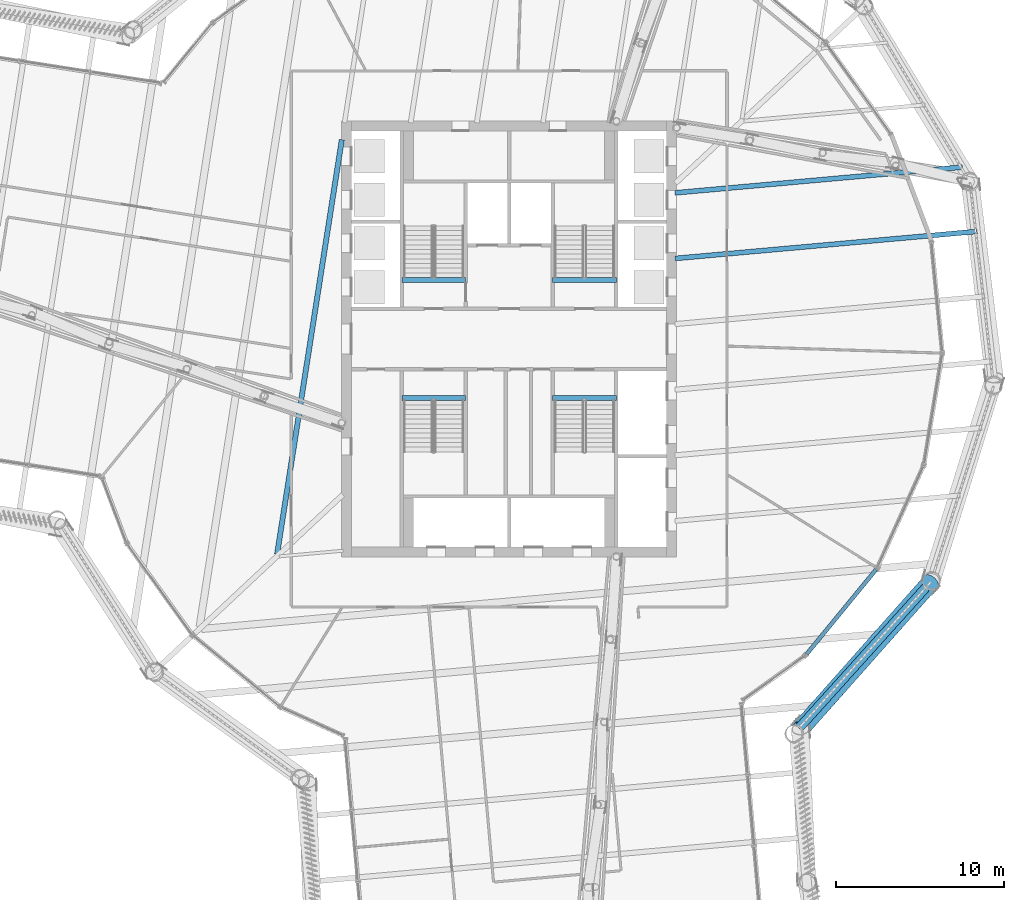
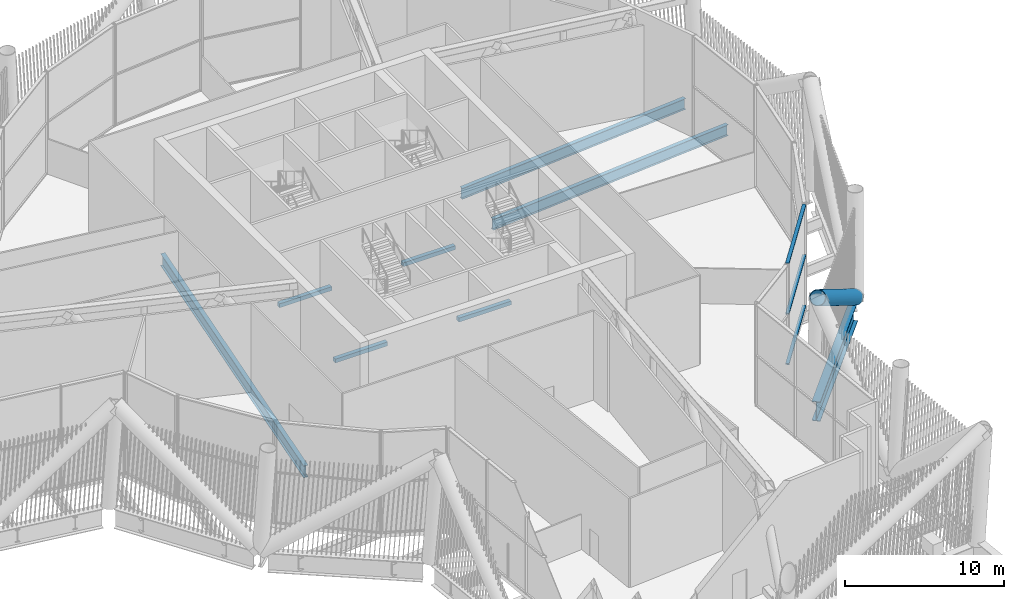
# One storey, part 18 of 55: 8 beams, 4 members, 1 element without a shape of its own.
"""IFC4 building model written with IfcOpenShell, lengths in metres."""

import ifcopenshell
import ifcopenshell.guid

model = None  # the IFC model being written
_history = None  # IfcOwnerHistory: only IFC2X3 demands one
_inside = {}  # id of a spatial element -> (the spatial element, [elements in it])
_under = {}  # id of a project, library or spatial element -> (it, [spatial elements below it])
_declared = {}  # id of a project -> (the project, [libraries it declares])
_typed = {}  # id of a type object -> (the type object, [elements of that type])
_made_of = {}  # id of a material, layer set ... -> (it, [elements and type objects made of it])


def new_model(schema):
    """Start an empty IFC model of exactly this schema.

    Asked for "IFC4X3", IfcOpenShell would pick the latest addendum, in which some entities
    have other attributes; the version numbers below select the first issue.
    IFC2X3 requires an IfcOwnerHistory on every rooted entity: one is made here for all.
    """
    global model, _history
    if schema == "IFC4X3":
        model = ifcopenshell.file(schema_version=(4, 3, 0, 0))
    else:
        model = ifcopenshell.file(schema=schema)
    _inside.clear()
    _under.clear()
    _declared.clear()
    _typed.clear()
    _made_of.clear()
    _history = None
    if model.schema == "IFC2X3":
        org = make("IfcOrganization", Name="unknown")
        user = make(
            "IfcPersonAndOrganization",
            ThePerson=make("IfcPerson", FamilyName="unknown"),
            TheOrganization=org,
        )
        app = make(
            "IfcApplication",
            ApplicationDeveloper=org,
            Version="unknown",
            ApplicationFullName="unknown",
            ApplicationIdentifier="unknown",
        )
        _history = make(
            "IfcOwnerHistory",
            OwningUser=user,
            OwningApplication=app,
            ChangeAction="ADDED",
            CreationDate=0,
        )
    return model


def make(cls, **values):
    """One entity of the class cls with the attributes given. An attribute that is None is left unset."""
    return model.create_entity(
        cls, **{name: value for name, value in values.items() if value is not None}
    )


def rooted(cls, **values):
    """An entity with a GlobalId (a new one), such as an element, a storey or a relation."""
    return make(cls, GlobalId=ifcopenshell.guid.new(), OwnerHistory=_history, **values)


def si_unit(unit_type, name, prefix=None):
    """IfcSIUnit, for example si_unit("LENGTHUNIT", "METRE", prefix="MILLI")."""
    return make("IfcSIUnit", UnitType=unit_type, Prefix=prefix, Name=name)


def assignment(units):
    """IfcUnitAssignment: the units of a project."""
    return None if units is None else make("IfcUnitAssignment", Units=units)


def point(xyz):
    """IfcCartesianPoint."""
    return None if xyz is None else make("IfcCartesianPoint", Coordinates=xyz)


def direction(xyz):
    """IfcDirection."""
    return None if xyz is None else make("IfcDirection", DirectionRatios=xyz)


def frame(location, z_axis=None, x_axis=None):
    """IfcAxis2Placement3D, a coordinate frame: its origin and axes. An axis left out is left unset."""
    return make(
        "IfcAxis2Placement3D",
        Location=point(location),
        Axis=direction(z_axis),
        RefDirection=direction(x_axis),
    )


def frame_2d(location, x_axis=None):
    """IfcAxis2Placement2D, a coordinate frame in the plane: its origin and x axis."""
    return make(
        "IfcAxis2Placement2D", Location=point(location), RefDirection=direction(x_axis)
    )


def origin():
    """The frame at (0, 0, 0) with its axes left unset."""
    return frame((0.0, 0.0, 0.0))


def origin_2d():
    """The frame at (0, 0) in the plane with its x axis left unset."""
    return frame_2d((0.0, 0.0))


def place(relative_to, where):
    """IfcLocalPlacement: puts the frame where relative to a parent placement (None: the world)."""
    return make(
        "IfcLocalPlacement", PlacementRelTo=relative_to, RelativePlacement=where
    )


def context(
    kind, dimensions, precision=None, world=None, true_north=None, identifier=None
):
    """IfcGeometricRepresentationContext, for example the 3D "Model" context."""
    return make(
        "IfcGeometricRepresentationContext",
        ContextIdentifier=identifier,
        ContextType=kind,
        CoordinateSpaceDimension=dimensions,
        Precision=precision,
        WorldCoordinateSystem=world,
        TrueNorth=true_north,
    )


def subcontext(parent, identifier, kind, view, scale=None):
    """IfcGeometricRepresentationSubContext, for example "Body" below "Model"."""
    return make(
        "IfcGeometricRepresentationSubContext",
        ContextIdentifier=identifier,
        ContextType=kind,
        ParentContext=parent,
        TargetScale=scale,
        TargetView=view,
    )


def project(units=None, contexts=None):
    """IfcProject with its units and contexts."""
    return rooted(
        "IfcProject",
        Name="project",
        RepresentationContexts=contexts,
        UnitsInContext=assignment(units),
    )


def spatial(cls, under=None, at=None, **own):
    """A site, building, storey or space (cls), placed at a placement, below another one or the project."""
    s = rooted(cls, ObjectPlacement=at, **own)
    if under is not None:
        _under.setdefault(under.id(), (under, []))[1].append(s)
    return s


def profile(cls, at=None, kind="AREA", **sizes):
    """A parametric profile (cls). Its sizes go by their IFC names, for example OverallWidth=200.0."""
    return make(cls, ProfileType=kind, Position=at, **sizes)


def rectangle(**sizes):
    """IfcRectangleProfileDef."""
    return profile("IfcRectangleProfileDef", **sizes)


def hollow_rectangle(**sizes):
    """IfcRectangleHollowProfileDef."""
    return profile("IfcRectangleHollowProfileDef", **sizes)


def hollow_circle(**sizes):
    """IfcCircleHollowProfileDef."""
    return profile("IfcCircleHollowProfileDef", **sizes)


def i_section(**sizes):
    """IfcIShapeProfileDef."""
    return profile("IfcIShapeProfileDef", **sizes)


def extrude(swept, where, along, depth):
    """IfcExtrudedAreaSolid: the profile swept, set in the frame where, extruded along a direction by depth."""
    return make(
        "IfcExtrudedAreaSolid",
        SweptArea=swept,
        Position=where,
        ExtrudedDirection=direction(along),
        Depth=depth,
    )


def shape(context_of_items, identifier, shape_type, items):
    """IfcShapeRepresentation: the items that make up one representation, for example the "Body"."""
    return make(
        "IfcShapeRepresentation",
        ContextOfItems=context_of_items,
        RepresentationIdentifier=identifier,
        RepresentationType=shape_type,
        Items=items,
    )


def material(Name=None, Category=None):
    """IfcMaterial."""
    return make("IfcMaterial", Name=Name, Category=Category)


def layer(
    of_material, thickness, ventilated=None, Name=None, Category=None, Priority=None
):
    """IfcMaterialLayer: one layer of a wall or slab, of a material (None: an air gap)."""
    return make(
        "IfcMaterialLayer",
        Material=of_material,
        LayerThickness=thickness,
        IsVentilated=ventilated,
        Name=Name,
        Category=Category,
        Priority=Priority,
    )


def layer_set(layers, Name=None):
    """IfcMaterialLayerSet."""
    return make("IfcMaterialLayerSet", MaterialLayers=layers, LayerSetName=Name)


def material_profile(
    of_material, cross_section, Name=None, Category=None, Priority=None
):
    """IfcMaterialProfile: a cross section and its material."""
    return make(
        "IfcMaterialProfile",
        Name=Name,
        Material=of_material,
        Profile=cross_section,
        Priority=Priority,
        Category=Category,
    )


def profile_set(profiles, Name=None, composite=None):
    """IfcMaterialProfileSet."""
    return make(
        "IfcMaterialProfileSet",
        Name=Name,
        MaterialProfiles=profiles,
        CompositeProfile=composite,
    )


def made_of(thing, what):
    """Note that an element or type object is made of a material, layer set ...; save() writes the relation."""
    if what is not None:
        _made_of.setdefault(what.id(), (what, []))[1].append(thing)
    return thing


def type_object(cls, material=None, **own):
    """A type object (cls), such as IfcWallType, which elements share."""
    return made_of(rooted(cls, **own), material)


def element(
    cls,
    number,
    at=None,
    inside=None,
    cuts=None,
    type_object=None,
    material=None,
    context=None,
    identifier="Body",
    shape_type=None,
    held_by="IfcProductDefinitionShape",
    body=None,
    shapes=None,
    **own,
):
    """One element of the class cls, such as IfcWall. Its Tag is "e" and its number.

    at: its placement. inside: the storey or other place that contains it. cuts: it is an
    opening in that element (IfcRelVoidsElement). A single representation is given by context,
    identifier, shape_type and body (its items); several are given by shapes. held_by: the class
    of the entity that holds the representations. save() writes the other relations.
    """
    e = rooted(cls, Tag="e%d" % number, ObjectPlacement=at, **own)
    if body is not None:
        shapes = [shape(context, identifier, shape_type, body)]
    if shapes is not None:
        e.Representation = make(held_by, Representations=shapes)
    if inside is not None:
        _inside.setdefault(inside.id(), (inside, []))[1].append(e)
    if cuts is not None:
        rooted(
            "IfcRelVoidsElement", RelatingBuildingElement=cuts, RelatedOpeningElement=e
        )
    if type_object is not None:
        _typed.setdefault(type_object.id(), (type_object, []))[1].append(e)
    return made_of(e, material)


def aggregate(whole, parts):
    """IfcRelAggregates: a whole, such as a stair, and the parts it consists of."""
    return rooted("IfcRelAggregates", RelatingObject=whole, RelatedObjects=parts)


def save(model, path):
    """Write the relations noted so far, then the file.

    IfcRelAggregates (storeys below a building ...), IfcRelContainedInSpatialStructure (elements
    in a storey), IfcRelDefinesByType, IfcRelAssociatesMaterial and IfcRelDeclares: one each for
    every whole, place, type object, material and project.
    """
    for whole, parts in _under.values():
        aggregate(whole, parts)
    for where, things in _inside.values():
        rooted(
            "IfcRelContainedInSpatialStructure",
            RelatedElements=things,
            RelatingStructure=where,
        )
    for kind, things in _typed.values():
        rooted("IfcRelDefinesByType", RelatedObjects=things, RelatingType=kind)
    for what, things in _made_of.values():
        rooted("IfcRelAssociatesMaterial", RelatedObjects=things, RelatingMaterial=what)
    for by, libraries in _declared.values():
        rooted("IfcRelDeclares", RelatingContext=by, RelatedDefinitions=libraries)
    model.write(path)


model = new_model("IFC4")

# Units and contexts
model_context = context("Model", 3, precision=1e-05, world=origin(), true_north=direction((0.0, 1.0)))
body_context = subcontext(model_context, "Body", "Model", "MODEL_VIEW")
ifc_project = project(units=[si_unit("LENGTHUNIT", "METRE"), si_unit("AREAUNIT", "SQUARE_METRE"), si_unit("VOLUMEUNIT", "CUBIC_METRE"), si_unit("PLANEANGLEUNIT", "RADIAN"), si_unit("MASSUNIT", "GRAM", prefix="KILO")], contexts=[model_context])

# Site, building, storey
site_placement = place(None, origin())
site = spatial("IfcSite", under=ifc_project, at=site_placement, CompositionType="ELEMENT")
building_placement = place(site_placement, origin())
building = spatial("IfcBuilding", under=site, at=building_placement, Name="Tarsis Ring Headquarters", CompositionType="ELEMENT")
storey_placement = place(building_placement, frame((0.0, 0.0, 247.199951171875)))
storey = spatial("IfcBuildingStorey", under=building, at=storey_placement, Name="L58", CompositionType="ELEMENT", Elevation=247.199951171875)

# Curtain wall, members
ifc_material_1 = material(Name="Aluminium curtain wall", Category="aluminium")
ifc_layer = layer(ifc_material_1, 0.300048828125)
ifc_layer_set = layer_set([ifc_layer], Name="Curtain wall upper sky lobby")
curtain_wall_type = type_object("IfcCurtainWallType", Name="Curtain wall upper sky lobby", PredefinedType="NOTDEFINED", material=ifc_layer_set)
curtain_wall_placement = place(storey_placement, origin())
curtain_wall = element("IfcCurtainWall", 1, at=curtain_wall_placement, inside=storey, type_object=curtain_wall_type, Name="Curtain wall L58-18", PredefinedType="NOTDEFINED")
ifc_material_2 = material(Name="Aluminium transom", Category="aluminium")
ifc_material_profile_1 = material_profile(ifc_material_2, hollow_rectangle(XDim=0.239990234375, YDim=0.090087890625, WallThickness=0.0048828125, at=origin_2d()), Name="RHS 240x90x5")
ifc_profile_set_1 = profile_set([ifc_material_profile_1], Name="Aluminium transom")
member_type_1 = type_object("IfcMemberType", Name="Curtain wall transom upper sky lobby RHS 240x90x5", PredefinedType="USERDEFINED", material=ifc_profile_set_1)
member_1_placement = place(storey_placement, frame((17.753173828125, -18.8037109375, 0.045166015625), z_axis=(0.634458435788, 0.772956980212, 0.0), x_axis=(-0.772956980212, 0.634458435788, 0.0)))
member_1 = element("IfcMember", 2, at=member_1_placement, type_object=member_type_1, Name="CW-U transom 1.1", ObjectType="TRANSOM", PredefinedType="USERDEFINED", context=body_context, shape_type="SweptSolid", body=[
    extrude(hollow_rectangle(XDim=0.239990234375, YDim=0.090087890625, WallThickness=0.0048828125, at=origin_2d()), origin(), (0.0, 0.0, 1.0), 6.541748046875),
])
member_2_placement = place(storey_placement, frame((17.753173828125, -18.8037109375, 3.920166015625), z_axis=(0.634458435788, 0.772956980212, 0.0), x_axis=(-0.772956980212, 0.634458435788, 0.0)))
member_2 = element("IfcMember", 3, at=member_2_placement, type_object=member_type_1, Name="CW-U transom 1.2", ObjectType="TRANSOM", PredefinedType="USERDEFINED", context=body_context, shape_type="SweptSolid", body=[
    extrude(hollow_rectangle(XDim=0.239990234375, YDim=0.090087890625, WallThickness=0.0048828125, at=origin_2d()), origin(), (0.0, 0.0, 1.0), 6.541748046875),
])
member_3_placement = place(storey_placement, frame((17.753173828125, -18.8037109375, 7.795166015625), z_axis=(0.634458435788, 0.772956980212, 0.0), x_axis=(-0.772956980212, 0.634458435788, 0.0)))
member_3 = element("IfcMember", 4, at=member_3_placement, type_object=member_type_1, Name="CW-U transom 1.3", ObjectType="TRANSOM", PredefinedType="USERDEFINED", context=body_context, shape_type="SweptSolid", body=[
    extrude(hollow_rectangle(XDim=0.239990234375, YDim=0.090087890625, WallThickness=0.0048828125, at=origin_2d()), origin(), (0.0, 0.0, 1.0), 6.541748046875),
])
aggregate(curtain_wall, [member_1, member_2, member_3])

# Beams
ifc_material_3 = material(Name="Structural steel S355", Category="steel")
ifc_material_profile_2 = material_profile(ifc_material_3, i_section(OverallWidth=0.2919921875, OverallDepth=0.835693359375, WebThickness=0.013916015625, FlangeThickness=0.018798828125, at=origin_2d()), Name="W33x118")
ifc_profile_set_2 = profile_set([ifc_material_profile_2], Name="Structural steel S355")
beam_type_1 = type_object("IfcBeamType", Name="FB Floor beam W33x118", PredefinedType="JOIST", material=ifc_profile_set_2)
beam_1_placement = place(storey_placement, frame((9.900390625, 8.71826171875, -0.7177734375), z_axis=(0.996009999278, 0.089241701793, 0.0), x_axis=(-0.089241701793, 0.996009999278, 0.0)))
element("IfcBeam", 5, at=beam_1_placement, inside=storey, type_object=beam_type_1, Name="Floor beam FB7", PredefinedType="JOIST", context=body_context, shape_type="SweptSolid", body=[
    extrude(i_section(OverallWidth=0.2919921875, OverallDepth=0.835693359375, WebThickness=0.013916015625, FlangeThickness=0.018798828125, at=origin_2d()), origin(), (0.0, 0.0, 1.0), 17.2158203125),
])
beam_2_placement = place(storey_placement, frame((9.900390625, 4.802734375, -0.7177734375), z_axis=(0.996009897995, 0.089242832177, 0.0), x_axis=(-0.089242832177, 0.996009897995, 0.0)))
element("IfcBeam", 6, at=beam_2_placement, inside=storey, type_object=beam_type_1, Name="Floor beam FB7", PredefinedType="JOIST", context=body_context, shape_type="SweptSolid", body=[
    extrude(i_section(OverallWidth=0.2919921875, OverallDepth=0.835693359375, WebThickness=0.013916015625, FlangeThickness=0.018798828125, at=origin_2d()), origin(), (0.0, 0.0, 1.0), 18.099365234375),
])
ifc_material_profile_3 = material_profile(ifc_material_3, i_section(OverallWidth=0.309814453125, OverallDepth=0.93212890625, WebThickness=0.02099609375, FlangeThickness=0.034423828125, at=origin_2d()), Name="W36x210")
ifc_profile_set_3 = profile_set([ifc_material_profile_3], Name="Structural steel S355")
beam_type_2 = type_object("IfcBeamType", Name="FB Floor beam W36x210", PredefinedType="JOIST", material=ifc_profile_set_3)
beam_3_placement = place(storey_placement, frame((-9.984619140625, 11.88818359375, -0.76611328125), z_axis=(-0.154358430931, -0.988014916284, 0.0), x_axis=(0.988014916284, -0.154358430931, 0.0)))
element("IfcBeam", 7, at=beam_3_placement, inside=storey, type_object=beam_type_2, Name="Floor beam FB10", PredefinedType="JOIST", context=body_context, shape_type="SweptSolid", body=[
    extrude(i_section(OverallWidth=0.309814453125, OverallDepth=0.93212890625, WebThickness=0.02099609375, FlangeThickness=0.034423828125, at=origin_2d()), origin(), (0.0, 0.0, 1.0), 25.028076171875),
])
ifc_material_4 = material(Name="Concrete C40/50", Category="concrete")
ifc_material_profile_4 = material_profile(ifc_material_4, rectangle(XDim=0.300048828125, YDim=0.300048828125, at=origin_2d()), Name="Stair head beam 300x300 C40/50")
ifc_profile_set_4 = profile_set([ifc_material_profile_4], Name="Concrete C40/50")
beam_type_3 = type_object("IfcBeamType", Name="Stair head beam 300x300 C40/50", PredefinedType="BEAM", material=ifc_profile_set_4)
for number, where, z_axis, x_axis, name in (
    (8, (-6.39990234375, 3.510009765625, -0.449951171875), (1.0, 0.0, 0.0), (0.0, 1.0, 0.0), "Stair head beam L58 Firefighting stair"),
    (9, (2.60009765625, 3.510009765625, -0.449951171875), (1.0, 0.0, 0.0), (0.0, 1.0, 0.0), "Stair head beam L58 Exit stair B"),
    (10, (-6.39990234375, -3.510009765625, -0.449951171875), (1.0, 0.0, 0.0), (0.0, 1.0, 0.0), "Stair head beam L58 Exit stair C"),
    (11, (2.60009765625, -3.510009765625, -0.449951171875), (1.0, 0.0, 0.0), (0.0, 1.0, 0.0), "Stair head beam L58 Exit stair D"),
):
    element("IfcBeam", number, at=place(storey_placement, frame(where, z_axis=z_axis, x_axis=x_axis)), inside=storey, type_object=beam_type_3, Name=name, PredefinedType="BEAM", context=body_context, shape_type="SweptSolid", body=[
        extrude(rectangle(XDim=0.300048828125, YDim=0.300048828125, at=origin_2d()), origin(), (0.0, 0.0, 1.0), 3.7998046875),
    ])

# Member
ifc_material_profile_5 = material_profile(ifc_material_3, hollow_circle(Radius=0.533447265625, WallThickness=0.044921875, at=origin_2d()), Name="CHS 1067x45")
ifc_profile_set_5 = profile_set([ifc_material_profile_5], Name="Structural steel S355")
member_type_2 = type_object("IfcMemberType", Name="TD Belt truss diagonal CHS 1067x45", PredefinedType="BRACE", material=ifc_profile_set_5)
member_4_placement = place(storey_placement, frame((25.18017578125, -14.483642578125, 0.0), z_axis=(-0.548619237104, -0.618372941284, 0.562700487086), x_axis=(0.748037046719, -0.66365697219, 0.0)))
element("IfcMember", 12, at=member_4_placement, inside=storey, type_object=member_type_2, Name="Belt truss diagonal TD5", PredefinedType="BRACE", context=body_context, shape_type="SweptSolid", body=[
    extrude(hollow_circle(Radius=0.533447265625, WallThickness=0.044921875, at=origin_2d()), origin(), (0.0, 0.0, 1.0), 14.217041015625),
])

# Beam
ifc_material_profile_6 = material_profile(ifc_material_3, i_section(OverallWidth=0.550048828125, OverallDepth=1.5, WebThickness=0.030029296875, FlangeThickness=0.050048828125, at=origin_2d()), Name="PG 1500x550x30x50")
ifc_profile_set_6 = profile_set([ifc_material_profile_6], Name="Structural steel S355")
beam_type_4 = type_object("IfcBeamType", Name="XG Ring girder PG 1500x550x30x50", PredefinedType="BEAM", material=ifc_profile_set_6)
beam_4_placement = place(storey_placement, frame((17.293212890625, -23.21875, -0.75), z_axis=(0.670146781755, 0.742228597471, 0.0), x_axis=(-0.742228597471, 0.670146781755, 0.0)))
element("IfcBeam", 13, at=beam_4_placement, inside=storey, type_object=beam_type_4, Name="Ring girder XG6", PredefinedType="BEAM", context=body_context, shape_type="SweptSolid", body=[
    extrude(i_section(OverallWidth=0.550048828125, OverallDepth=1.5, WebThickness=0.030029296875, FlangeThickness=0.050048828125, at=origin_2d()), origin(), (0.0, 0.0, 1.0), 11.288818359375),
])

save(model, "model.ifc")
